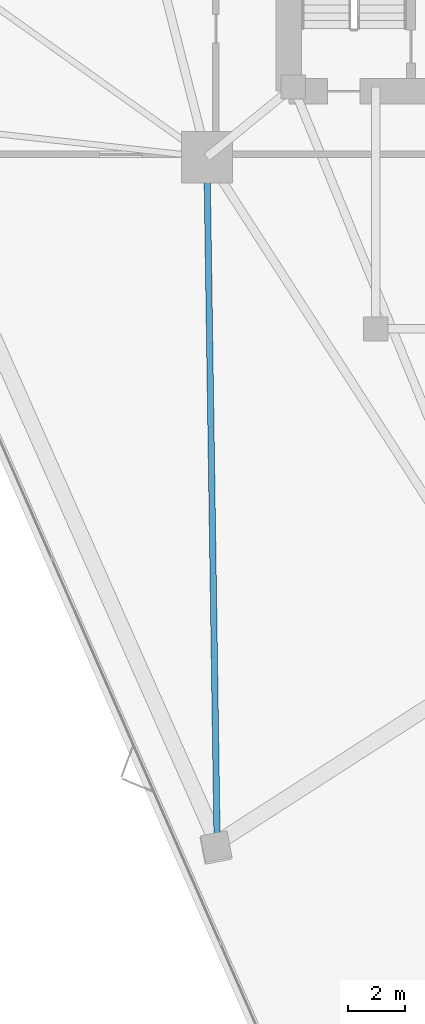
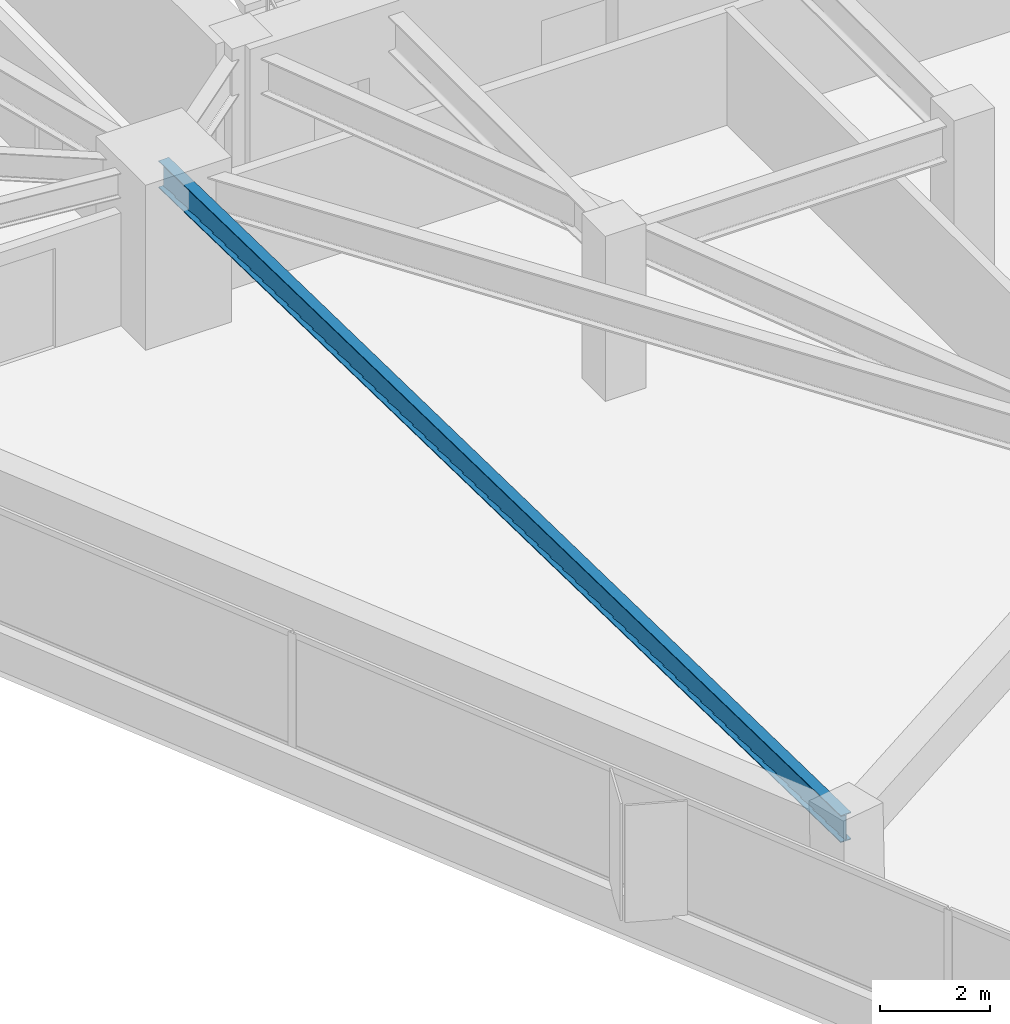
# One storey, part 3 of 20: 1 beam.
"""IFC4 building model written with IfcOpenShell, lengths in metres."""

from ifc_helpers import new_model, si_unit, direction, frame, origin, origin_2d, place, context, subcontext, project, spatial, i_section, extrude, material, material_profile, profile_set, type_object, element, save


model = new_model("IFC4")

# Units and contexts
model_context = context("Model", 3, precision=1e-05, world=origin(), true_north=direction((0.0, 1.0)))
body_context = subcontext(model_context, "Body", "Model", "MODEL_VIEW")
ifc_project = project(units=[si_unit("LENGTHUNIT", "METRE"), si_unit("AREAUNIT", "SQUARE_METRE"), si_unit("VOLUMEUNIT", "CUBIC_METRE"), si_unit("PLANEANGLEUNIT", "RADIAN"), si_unit("MASSUNIT", "GRAM", prefix="KILO")], contexts=[model_context])

# Site, building, storey
site_placement = place(None, origin())
site = spatial("IfcSite", under=ifc_project, at=site_placement, CompositionType="ELEMENT")
building_placement = place(site_placement, origin())
building = spatial("IfcBuilding", under=site, at=building_placement, Name="Talyreon Biosciences Tower", CompositionType="ELEMENT")
storey_placement = place(building_placement, frame((0.0, 0.0, 30.10009765625)))
storey = spatial("IfcBuildingStorey", under=building, at=storey_placement, Name="L07", CompositionType="ELEMENT", Elevation=30.10009765625)

# Beam
ifc_material = material(Name="Steel SM355", Category="steel")
ifc_material_profile = material_profile(ifc_material, i_section(OverallWidth=0.219970703125, OverallDepth=0.60009765625, WebThickness=0.011962890625, FlangeThickness=0.01904296875, FilletRadius=0.02392578125, at=origin_2d()), Name="IPE600")
ifc_profile_set = profile_set([ifc_material_profile], Name="Steel SM355")
beam_type = type_object("IfcBeamType", Name="SteelJoist_IPE600", PredefinedType="JOIST", material=ifc_profile_set)
beam_placement = place(storey_placement, frame((54.913818359375, 58.88037109375, 3.074951171875), z_axis=(0.014942443025, -0.999888355466, 0.0), x_axis=(0.999888355466, 0.014942443025, 0.0)))
element("IfcBeam", 1, at=beam_placement, inside=storey, type_object=beam_type, Name="L07 Radial Composite Floor Joist PC-SW2", PredefinedType="JOIST", context=body_context, shape_type="SweptSolid", body=[
    extrude(i_section(OverallWidth=0.219970703125, OverallDepth=0.60009765625, WebThickness=0.011962890625, FlangeThickness=0.01904296875, FilletRadius=0.02392578125, at=origin_2d()), origin(), (0.0, 0.0, 1.0), 24.115966796875),
])

save(model, "model.ifc")
